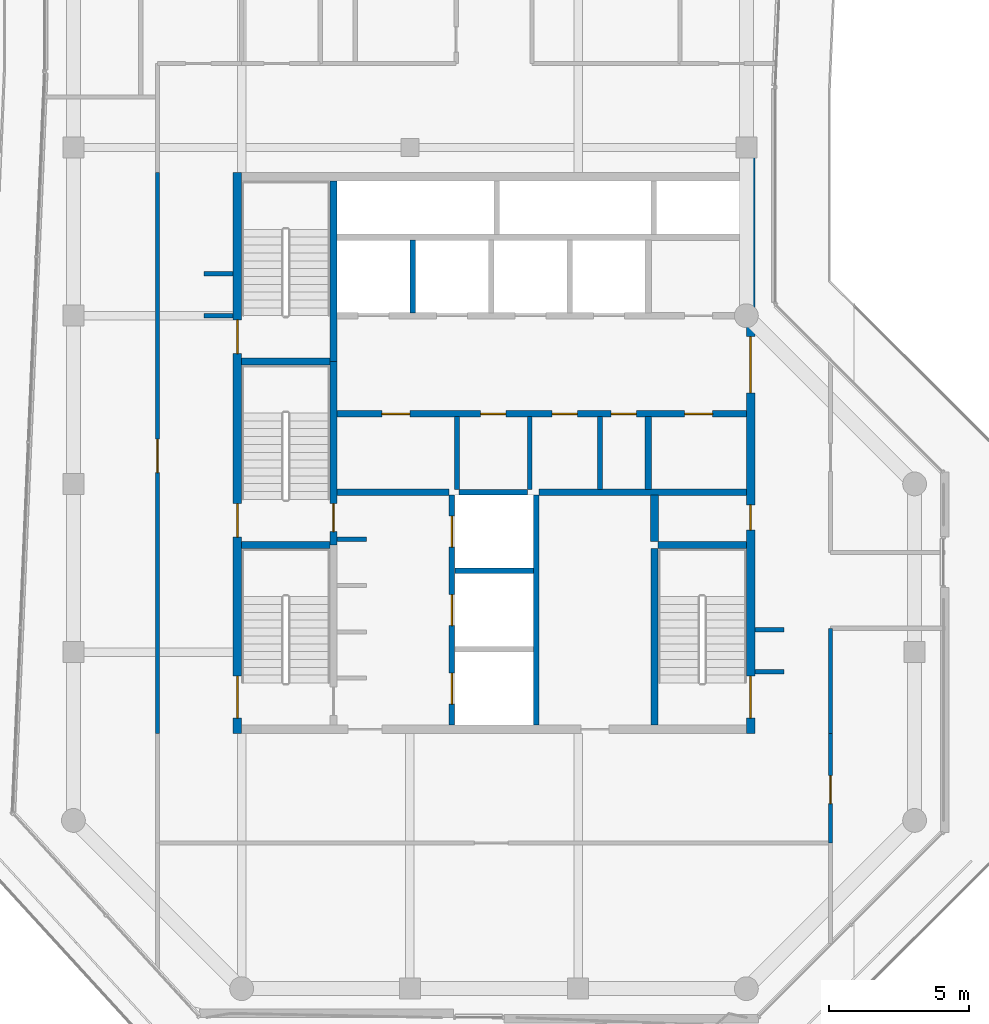
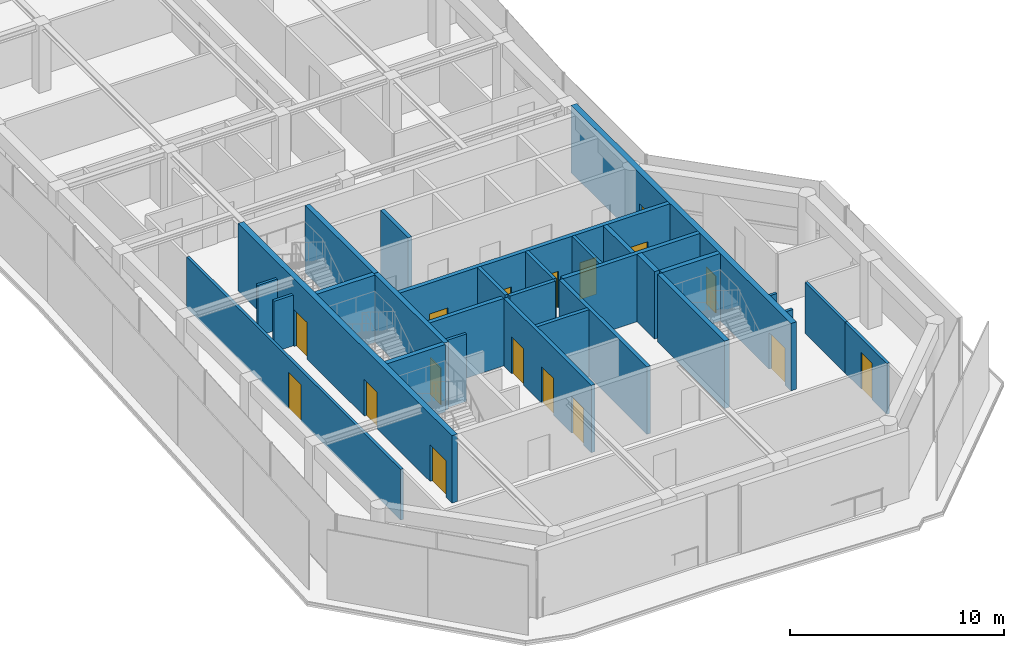
# One storey, part 15 of 19: 29 walls, 17 doors, 17 openings.
"""IFC4 building model written with IfcOpenShell, lengths in metres."""

from ifc_helpers import new_model, si_unit, direction, frame, frame_2d, origin, place, context, subcontext, project, spatial, rectangle, extrude, material, layer, layer_set, type_object, element, fill, save


model = new_model("IFC4")

# Units and contexts
model_context = context("Model", 3, precision=1e-05, world=origin(), true_north=direction((0.0, 1.0)))
body_context = subcontext(model_context, "Body", "Model", "MODEL_VIEW")
ifc_project = project(units=[si_unit("LENGTHUNIT", "METRE"), si_unit("AREAUNIT", "SQUARE_METRE"), si_unit("VOLUMEUNIT", "CUBIC_METRE"), si_unit("PLANEANGLEUNIT", "RADIAN"), si_unit("MASSUNIT", "GRAM", prefix="KILO")], contexts=[model_context])

# Site, building, storey
site_placement = place(None, origin())
site = spatial("IfcSite", under=ifc_project, at=site_placement, CompositionType="ELEMENT")
building_placement = place(site_placement, origin())
building = spatial("IfcBuilding", under=site, at=building_placement, Name="Welwitschia Terrace Campus", CompositionType="ELEMENT")
storey_placement = place(building_placement, frame((0.0, 0.0, 276.800048828125)))
storey = spatial("IfcBuildingStorey", under=building, at=storey_placement, Name="L61", CompositionType="ELEMENT", Elevation=276.800048828125)

# Walls
ifc_material_1 = material(Name="Concrete C32/40", Category="concrete")
ifc_layer_1 = layer(ifc_material_1, 0.175048828125)
ifc_layer_set_1 = layer_set([ifc_layer_1], Name="Concrete C32/40")
wall_type_1 = type_object("IfcWallType", Name="Core partition 175 Concrete C32/40", PredefinedType="PARTITIONING", material=ifc_layer_set_1)
for number, where, z_axis, x_axis, name in (
    (1, (13.675048828125, 13.800048828125, 0.0), (0.0, 0.0, 1.0), (0.0, 1.0, 0.0), "Core partition"),
    (2, (16.27490234375, 13.800048828125, 0.0), (0.0, 0.0, 1.0), (0.0, 1.0, 0.0), "Core partition"),
    (3, (18.77490234375, 13.800048828125, 0.0), (0.0, 0.0, 1.0), (0.0, 1.0, 0.0), "Core partition"),
):
    element("IfcWall", number, at=place(storey_placement, frame(where, z_axis=z_axis, x_axis=x_axis)), inside=storey, type_object=wall_type_1, Name=name, PredefinedType="PARTITIONING", context=body_context, shape_type="SweptSolid", body=[
        extrude(rectangle(XDim=2.599853515625, YDim=0.175048828125, at=frame_2d((1.2998046875, 0.0))), origin(), (0.0, 0.0, 1.0), 3.849853515625),
    ])
ifc_material_2 = material(Name="Concrete C32/40", Category="concrete")
ifc_layer_2 = layer(ifc_material_2, 0.22509765625)
ifc_layer_set_2 = layer_set([ifc_layer_2], Name="Concrete C32/40")
wall_type_2 = type_object("IfcWallType", Name="Core partition 225 Concrete C32/40", PredefinedType="PARTITIONING", material=ifc_layer_set_2)
wall_1_placement = place(storey_placement, frame((9.39990234375, 13.699951171875, 0.0), z_axis=(0.0, 0.0, 1.0), x_axis=(1.0, 0.0, 0.0)))
element("IfcWall", 4, at=wall_1_placement, inside=storey, type_object=wall_type_2, Name="Core partition", PredefinedType="PARTITIONING", context=body_context, shape_type="SweptSolid", body=[
    extrude(rectangle(XDim=4.0, YDim=0.22509765625, at=frame_2d((2.0, 0.0))), origin(), (0.0, 0.0, 1.0), 3.849853515625),
])
wall_2_placement = place(storey_placement, frame((16.60009765625, 13.699951171875, 0.0), z_axis=(0.0, 0.0, 1.0), x_axis=(1.0, 0.0, 0.0)))
element("IfcWall", 5, at=wall_2_placement, inside=storey, type_object=wall_type_2, Name="Core partition", PredefinedType="PARTITIONING", context=body_context, shape_type="SweptSolid", body=[
    extrude(rectangle(XDim=7.39990234375, YDim=0.22509765625, at=frame_2d((3.699951171875, 0.0))), origin(), (0.0, 0.0, 1.0), 3.849853515625),
])

# Wall, openings, doors
wall_3_placement = place(storey_placement, frame((9.39990234375, 16.5, 0.0), z_axis=(0.0, 0.0, 1.0), x_axis=(1.0, 0.0, 0.0)))
wall_3 = element("IfcWall", 6, at=wall_3_placement, inside=storey, type_object=wall_type_2, Name="Core partition", PredefinedType="PARTITIONING", context=body_context, shape_type="SweptSolid", body=[
    extrude(rectangle(XDim=14.60009765625, YDim=0.22509765625, at=frame_2d((7.300048828125, 0.0))), origin(), (0.0, 0.0, 1.0), 3.849853515625),
])
opening_1_placement = place(wall_3_placement, frame((1.60009765625, 0.0, 0.0)))
opening_1 = element("IfcOpeningElement", 7, at=opening_1_placement, cuts=wall_3, Name="Opening DR10", PredefinedType="OPENING", context=body_context, shape_type="SweptSolid", body=[
    extrude(rectangle(XDim=1.0, YDim=2.10009765625, at=frame_2d((0.5, 1.050048828125))), frame((0.0, 0.12255859375, 0.0), z_axis=(0.0, -1.0, 0.0), x_axis=(1.0, 0.0, 0.0)), (0.0, 0.0, 1.0), 0.2451171875),
])
opening_2_placement = place(wall_3_placement, frame((5.125, 0.0, 0.0)))
opening_2 = element("IfcOpeningElement", 8, at=opening_2_placement, cuts=wall_3, Name="Opening DR09", PredefinedType="OPENING", context=body_context, shape_type="SweptSolid", body=[
    extrude(rectangle(XDim=0.89990234375, YDim=2.10009765625, at=frame_2d((0.449951171875, 1.050048828125))), frame((0.0, 0.12255859375, 0.0), z_axis=(0.0, -1.0, 0.0), x_axis=(1.0, 0.0, 0.0)), (0.0, 0.0, 1.0), 0.2451171875),
])
opening_3_placement = place(wall_3_placement, frame((7.675048828125, 0.0, 0.0)))
opening_3 = element("IfcOpeningElement", 9, at=opening_3_placement, cuts=wall_3, Name="Opening DR09", PredefinedType="OPENING", context=body_context, shape_type="SweptSolid", body=[
    extrude(rectangle(XDim=0.89990234375, YDim=2.10009765625, at=frame_2d((0.449951171875, 1.050048828125))), frame((0.0, 0.12255859375, 0.0), z_axis=(0.0, -1.0, 0.0), x_axis=(1.0, 0.0, 0.0)), (0.0, 0.0, 1.0), 0.2451171875),
])
opening_4_placement = place(wall_3_placement, frame((9.77490234375, 0.0, 0.0)))
opening_4 = element("IfcOpeningElement", 10, at=opening_4_placement, cuts=wall_3, Name="Opening DR09", PredefinedType="OPENING", context=body_context, shape_type="SweptSolid", body=[
    extrude(rectangle(XDim=0.89990234375, YDim=2.10009765625, at=frame_2d((0.449951171875, 1.050048828125))), frame((0.0, 0.12255859375, 0.0), z_axis=(0.0, -1.0, 0.0), x_axis=(1.0, 0.0, 0.0)), (0.0, 0.0, 1.0), 0.2451171875),
])
opening_5_placement = place(wall_3_placement, frame((12.39990234375, 0.0, 0.0)))
opening_5 = element("IfcOpeningElement", 11, at=opening_5_placement, cuts=wall_3, Name="Opening DR10", PredefinedType="OPENING", context=body_context, shape_type="SweptSolid", body=[
    extrude(rectangle(XDim=1.0, YDim=2.10009765625, at=frame_2d((0.5, 1.050048828125))), frame((0.0, 0.12255859375, 0.0), z_axis=(0.0, -1.0, 0.0), x_axis=(1.0, 0.0, 0.0)), (0.0, 0.0, 1.0), 0.2451171875),
])
ifc_material_3 = material(Name="Steel S275", Category="steel")
door_type_1 = type_object("IfcDoorType", Name="Core door DR09", OperationType="SINGLE_SWING_LEFT", PredefinedType="DOOR", material=ifc_material_3)
door_1_placement = place(opening_2_placement, origin())
door_1 = element("IfcDoor", 12, at=door_1_placement, inside=storey, type_object=door_type_1, Name="Door BAYL2-D", OperationType="SINGLE_SWING_LEFT", OverallHeight=2.10009765625, OverallWidth=0.89990234375, PredefinedType="DOOR", context=body_context, shape_type="SweptSolid", body=[
    extrude(rectangle(XDim=0.89990234375, YDim=2.10009765625, at=frame_2d((0.449951171875, 1.050048828125))), frame((0.0, 0.02490234375, 0.0), z_axis=(0.0, -1.0, 0.0), x_axis=(1.0, 0.0, 0.0)), (0.0, 0.0, 1.0), 0.050048828125),
])
fill(opening_2, door_1)
door_2_placement = place(opening_3_placement, origin())
door_2 = element("IfcDoor", 13, at=door_2_placement, inside=storey, type_object=door_type_1, Name="Door BAYL3-D", OperationType="SINGLE_SWING_RIGHT", OverallHeight=2.10009765625, OverallWidth=0.89990234375, PredefinedType="DOOR", context=body_context, shape_type="SweptSolid", body=[
    extrude(rectangle(XDim=0.89990234375, YDim=2.10009765625, at=frame_2d((0.449951171875, 1.050048828125))), frame((0.0, 0.02490234375, 0.0), z_axis=(0.0, -1.0, 0.0), x_axis=(1.0, 0.0, 0.0)), (0.0, 0.0, 1.0), 0.050048828125),
])
fill(opening_3, door_2)
door_3_placement = place(opening_4_placement, origin())
door_3 = element("IfcDoor", 14, at=door_3_placement, inside=storey, type_object=door_type_1, Name="Door BAYL4-D", OperationType="SINGLE_SWING_RIGHT", OverallHeight=2.10009765625, OverallWidth=0.89990234375, PredefinedType="DOOR", context=body_context, shape_type="SweptSolid", body=[
    extrude(rectangle(XDim=0.89990234375, YDim=2.10009765625, at=frame_2d((0.449951171875, 1.050048828125))), frame((0.0, 0.02490234375, 0.0), z_axis=(0.0, -1.0, 0.0), x_axis=(1.0, 0.0, 0.0)), (0.0, 0.0, 1.0), 0.050048828125),
])
fill(opening_4, door_3)
ifc_material_4 = material(Name="Steel S275", Category="steel")
door_type_2 = type_object("IfcDoorType", Name="Core door DR10", OperationType="SINGLE_SWING_LEFT", PredefinedType="DOOR", material=ifc_material_4)
door_4_placement = place(opening_1_placement, origin())
door_4 = element("IfcDoor", 15, at=door_4_placement, inside=storey, type_object=door_type_2, Name="Door BAYL1-D", OperationType="SINGLE_SWING_LEFT", OverallHeight=2.10009765625, OverallWidth=1.0, PredefinedType="DOOR", context=body_context, shape_type="SweptSolid", body=[
    extrude(rectangle(XDim=1.0, YDim=2.10009765625, at=frame_2d((0.5, 1.050048828125))), frame((0.0, 0.02490234375, 0.0), z_axis=(0.0, -1.0, 0.0), x_axis=(1.0, 0.0, 0.0)), (0.0, 0.0, 1.0), 0.050048828125),
])
fill(opening_1, door_4)
door_5_placement = place(opening_5_placement, origin())
door_5 = element("IfcDoor", 16, at=door_5_placement, inside=storey, type_object=door_type_2, Name="Door EL-D", OperationType="SINGLE_SWING_RIGHT", OverallHeight=2.10009765625, OverallWidth=1.0, PredefinedType="DOOR", context=body_context, shape_type="SweptSolid", body=[
    extrude(rectangle(XDim=1.0, YDim=2.10009765625, at=frame_2d((0.5, 1.050048828125))), frame((0.0, 0.02490234375, 0.0), z_axis=(0.0, -1.0, 0.0), x_axis=(1.0, 0.0, 0.0)), (0.0, 0.0, 1.0), 0.050048828125),
])
fill(opening_5, door_5)

# Walls
wall_4_placement = place(storey_placement, frame((20.5, 13.800048828125, 0.0), z_axis=(0.0, 0.0, 1.0), x_axis=(0.0, 1.0, 0.0)))
element("IfcWall", 17, at=wall_4_placement, inside=storey, type_object=wall_type_2, Name="Core partition", PredefinedType="PARTITIONING", context=body_context, shape_type="SweptSolid", body=[
    extrude(rectangle(XDim=2.599853515625, YDim=0.22509765625, at=frame_2d((1.2998046875, 0.0))), origin(), (0.0, 0.0, 1.0), 3.849853515625),
])
ifc_material_5 = material(Name="Concrete C32/40", Category="concrete")
ifc_layer_3 = layer(ifc_material_5, 0.27490234375)
ifc_layer_set_3 = layer_set([ifc_layer_3], Name="Concrete C32/40")
wall_type_3 = type_object("IfcWallType", Name="Core partition 275 Concrete C32/40", PredefinedType="PARTITIONING", material=ifc_layer_set_3)
wall_5_placement = place(storey_placement, frame((20.72509765625, 11.949951171875, 0.0), z_axis=(0.0, 0.0, 1.0), x_axis=(0.0, 1.0, 0.0)))
element("IfcWall", 18, at=wall_5_placement, inside=storey, type_object=wall_type_3, Name="Core partition", PredefinedType="PARTITIONING", context=body_context, shape_type="SweptSolid", body=[
    extrude(rectangle(XDim=1.650146484375, YDim=0.27490234375, at=frame_2d((0.8251953125, 0.0))), origin(), (0.0, 0.0, 1.0), 3.849853515625),
])
ifc_material_6 = material(Name="Concrete C50/60", Category="concrete")
ifc_layer_4 = layer(ifc_material_6, 0.14990234375)
ifc_layer_set_4 = layer_set([ifc_layer_4], Name="Concrete C50/60")
wall_type_4 = type_object("IfcWallType", Name="Core wall 150 Concrete C50/60", PredefinedType="SHEAR", material=ifc_layer_set_4)
wall_6_placement = place(storey_placement, frame((9.39990234375, 12.02490234375, 0.0), z_axis=(0.0, 0.0, 1.0), x_axis=(1.0, 0.0, 0.0)))
element("IfcWall", 19, at=wall_6_placement, inside=storey, type_object=wall_type_4, Name="Core wall", PredefinedType="SHEAR", context=body_context, shape_type="SweptSolid", body=[
    extrude(rectangle(XDim=1.050048828125, YDim=0.14990234375, at=frame_2d((0.52490234375, 0.0))), origin(), (0.0, 0.0, 1.0), 3.849853515625),
])
ifc_material_7 = material(Name="Concrete C50/60", Category="concrete")
ifc_layer_5 = layer(ifc_material_7, 0.199951171875)
ifc_layer_set_5 = layer_set([ifc_layer_5], Name="Concrete C50/60")
wall_type_5 = type_object("IfcWallType", Name="Core wall 200 Concrete C50/60", PredefinedType="SHEAR", material=ifc_layer_set_5)
wall_7_placement = place(storey_placement, frame((13.60009765625, 10.89990234375, 0.0), z_axis=(0.0, 0.0, 1.0), x_axis=(1.0, 0.0, 0.0)))
element("IfcWall", 20, at=wall_7_placement, inside=storey, type_object=wall_type_5, Name="Core wall", PredefinedType="SHEAR", context=body_context, shape_type="SweptSolid", body=[
    extrude(rectangle(XDim=2.7998046875, YDim=0.199951171875, at=frame_2d((1.39990234375, 0.0))), origin(), (0.0, 0.0, 1.0), 3.849853515625),
])
wall_8_placement = place(storey_placement, frame((13.75, 13.699951171875, 0.0), z_axis=(0.0, 0.0, 1.0), x_axis=(1.0, 0.0, 0.0)))
element("IfcWall", 21, at=wall_8_placement, inside=storey, type_object=wall_type_5, Name="Core wall", PredefinedType="SHEAR", context=body_context, shape_type="SweptSolid", body=[
    extrude(rectangle(XDim=2.449951171875, YDim=0.199951171875, at=frame_2d((1.22509765625, 0.0))), origin(), (0.0, 0.0, 1.0), 3.849853515625),
])

# Wall, openings, doors
wall_9_placement = place(storey_placement, frame((13.5, 5.39990234375, 0.0), z_axis=(0.0, 0.0, 1.0), x_axis=(0.0, 1.0, 0.0)))
wall_9 = element("IfcWall", 22, at=wall_9_placement, inside=storey, type_object=wall_type_5, Name="Core wall", PredefinedType="SHEAR", context=body_context, shape_type="SweptSolid", body=[
    extrude(rectangle(XDim=8.2001953125, YDim=0.199951171875, at=frame_2d((4.10009765625, 0.0))), origin(), (0.0, 0.0, 1.0), 3.849853515625),
])
opening_6_placement = place(wall_9_placement, frame((0.75, 0.0, 0.0)))
opening_6 = element("IfcOpeningElement", 23, at=opening_6_placement, cuts=wall_9, Name="Opening LD", PredefinedType="OPENING", context=body_context, shape_type="SweptSolid", body=[
    extrude(rectangle(XDim=1.10009765625, YDim=2.10009765625, at=frame_2d((0.550048828125, 1.050048828125))), frame((0.0, 0.10986328125, 0.0), z_axis=(0.0, -1.0, 0.0), x_axis=(1.0, 0.0, 0.0)), (0.0, 0.0, 1.0), 0.219970703125),
])
opening_7_placement = place(wall_9_placement, frame((3.550048828125, 0.0, 0.0)))
opening_7 = element("IfcOpeningElement", 24, at=opening_7_placement, cuts=wall_9, Name="Opening LD", PredefinedType="OPENING", context=body_context, shape_type="SweptSolid", body=[
    extrude(rectangle(XDim=1.10009765625, YDim=2.10009765625, at=frame_2d((0.550048828125, 1.050048828125))), frame((0.0, 0.10986328125, 0.0), z_axis=(0.0, -1.0, 0.0), x_axis=(1.0, 0.0, 0.0)), (0.0, 0.0, 1.0), 0.219970703125),
])
opening_8_placement = place(wall_9_placement, frame((6.35009765625, 0.0, 0.0)))
opening_8 = element("IfcOpeningElement", 25, at=opening_8_placement, cuts=wall_9, Name="Opening LD", PredefinedType="OPENING", context=body_context, shape_type="SweptSolid", body=[
    extrude(rectangle(XDim=1.10009765625, YDim=2.10009765625, at=frame_2d((0.550048828125, 1.050048828125))), frame((0.0, 0.10986328125, 0.0), z_axis=(0.0, -1.0, 0.0), x_axis=(1.0, 0.0, 0.0)), (0.0, 0.0, 1.0), 0.219970703125),
])
ifc_material_8 = material(Name="Stainless steel 304", Category="steel")
door_type_3 = type_object("IfcDoorType", Name="Lift landing door", OperationType="DOUBLE_DOOR_SLIDING", PredefinedType="DOOR", material=ifc_material_8)
door_6_placement = place(opening_6_placement, origin())
door_6 = element("IfcDoor", 26, at=door_6_placement, inside=storey, type_object=door_type_3, Name="Landing door FF1", OperationType="DOUBLE_DOOR_SLIDING", OverallHeight=2.10009765625, OverallWidth=1.10009765625, PredefinedType="DOOR", context=body_context, shape_type="SweptSolid", body=[
    extrude(rectangle(XDim=1.10009765625, YDim=2.10009765625, at=frame_2d((0.550048828125, 1.050048828125))), frame((0.0, 0.02490234375, 0.0), z_axis=(0.0, -1.0, 0.0), x_axis=(1.0, 0.0, 0.0)), (0.0, 0.0, 1.0), 0.050048828125),
])
fill(opening_6, door_6)
door_7_placement = place(opening_7_placement, origin())
door_7 = element("IfcDoor", 27, at=door_7_placement, inside=storey, type_object=door_type_3, Name="Landing door FF2", OperationType="DOUBLE_DOOR_SLIDING", OverallHeight=2.10009765625, OverallWidth=1.10009765625, PredefinedType="DOOR", context=body_context, shape_type="SweptSolid", body=[
    extrude(rectangle(XDim=1.10009765625, YDim=2.10009765625, at=frame_2d((0.550048828125, 1.050048828125))), frame((0.0, 0.02490234375, 0.0), z_axis=(0.0, -1.0, 0.0), x_axis=(1.0, 0.0, 0.0)), (0.0, 0.0, 1.0), 0.050048828125),
])
fill(opening_7, door_7)
door_8_placement = place(opening_8_placement, origin())
door_8 = element("IfcDoor", 28, at=door_8_placement, inside=storey, type_object=door_type_3, Name="Landing door SV1", OperationType="DOUBLE_DOOR_SLIDING", OverallHeight=2.10009765625, OverallWidth=1.10009765625, PredefinedType="DOOR", context=body_context, shape_type="SweptSolid", body=[
    extrude(rectangle(XDim=1.10009765625, YDim=2.10009765625, at=frame_2d((0.550048828125, 1.050048828125))), frame((0.0, 0.02490234375, 0.0), z_axis=(0.0, -1.0, 0.0), x_axis=(1.0, 0.0, 0.0)), (0.0, 0.0, 1.0), 0.050048828125),
])
fill(opening_8, door_8)

# Walls
wall_10_placement = place(storey_placement, frame((16.5, 5.39990234375, 0.0), z_axis=(0.0, 0.0, 1.0), x_axis=(0.0, 1.0, 0.0)))
element("IfcWall", 29, at=wall_10_placement, inside=storey, type_object=wall_type_5, Name="Core wall", PredefinedType="SHEAR", context=body_context, shape_type="SweptSolid", body=[
    extrude(rectangle(XDim=8.2001953125, YDim=0.199951171875, at=frame_2d((4.10009765625, 0.0))), origin(), (0.0, 0.0, 1.0), 3.849853515625),
])
ifc_material_9 = material(Name="Concrete C50/60", Category="concrete")
ifc_layer_6 = layer(ifc_material_9, 0.25)
ifc_layer_set_6 = layer_set([ifc_layer_6], Name="Concrete C50/60")
wall_type_6 = type_object("IfcWallType", Name="Core wall 250 Concrete C50/60", PredefinedType="SHEAR", material=ifc_layer_set_6)
for number, where, z_axis, x_axis, name in (
    (30, (6.0, 11.824951171875, 0.0), (0.0, 0.0, 1.0), (1.0, 0.0, 0.0), "Core wall"),
    (31, (20.85009765625, 11.824951171875, 0.0), (0.0, 0.0, 1.0), (1.0, 0.0, 0.0), "Core wall"),
    (32, (6.0, 18.375, 0.0), (0.0, 0.0, 1.0), (1.0, 0.0, 0.0), "Core wall"),
):
    element("IfcWall", number, at=place(storey_placement, frame(where, z_axis=z_axis, x_axis=x_axis)), inside=storey, type_object=wall_type_6, Name=name, PredefinedType="SHEAR", context=body_context, shape_type="SweptSolid", body=[
        extrude(rectangle(XDim=3.14990234375, YDim=0.25, at=frame_2d((1.574951171875, 0.0))), origin(), (0.0, 0.0, 1.0), 3.849853515625),
    ])

# Wall, opening, door
wall_11_placement = place(storey_placement, frame((9.27490234375, 18.375, 0.0), z_axis=(0.0, 0.0, 1.0), x_axis=(0.0, -1.0, 0.0)))
wall_11 = element("IfcWall", 33, at=wall_11_placement, inside=storey, type_object=wall_type_6, Name="Core wall", PredefinedType="SHEAR", context=body_context, shape_type="SweptSolid", body=[
    extrude(rectangle(XDim=6.550048828125, YDim=0.25, at=frame_2d((3.27490234375, 0.0))), origin(), (0.0, 0.0, 1.0), 3.849853515625),
])
opening_9_placement = place(wall_11_placement, frame((5.074951171875, 0.0, 0.0)))
opening_9 = element("IfcOpeningElement", 34, at=opening_9_placement, cuts=wall_11, Name="Opening DS10", PredefinedType="OPENING", context=body_context, shape_type="SweptSolid", body=[
    extrude(rectangle(XDim=1.0, YDim=2.10009765625, at=frame_2d((0.5, 1.050048828125))), frame((0.0, 0.135009765625, 0.0), z_axis=(0.0, -1.0, 0.0), x_axis=(1.0, 0.0, 0.0)), (0.0, 0.0, 1.0), 0.27001953125),
])
ifc_material_10 = material(Name="Steel S275", Category="steel")
door_type_4 = type_object("IfcDoorType", Name="Core door DS10", OperationType="SINGLE_SWING_LEFT", PredefinedType="DOOR", material=ifc_material_10)
door_9_placement = place(opening_9_placement, origin())
door_9 = element("IfcDoor", 35, at=door_9_placement, inside=storey, type_object=door_type_4, Name="Door S3-FL", OperationType="SINGLE_SWING_RIGHT", OverallHeight=2.10009765625, OverallWidth=1.0, PredefinedType="DOOR", context=body_context, shape_type="SweptSolid", body=[
    extrude(rectangle(XDim=1.0, YDim=2.10009765625, at=frame_2d((0.5, 1.050048828125))), frame((0.0, 0.02490234375, 0.0), z_axis=(0.0, -1.0, 0.0), x_axis=(1.0, 0.0, 0.0)), (0.0, 0.0, 1.0), 0.050048828125),
])
fill(opening_9, door_9)

# Walls
wall_12_placement = place(storey_placement, frame((9.27490234375, 18.375, 0.0), z_axis=(0.0, 0.0, 1.0), x_axis=(0.0, 1.0, 0.0)))
element("IfcWall", 36, at=wall_12_placement, inside=storey, type_object=wall_type_6, Name="Core wall", PredefinedType="SHEAR", context=body_context, shape_type="SweptSolid", body=[
    extrude(rectangle(XDim=6.425048828125, YDim=0.25, at=frame_2d((3.21240234375, 0.0))), origin(), (0.0, 0.0, 1.0), 3.849853515625),
])
wall_13_placement = place(storey_placement, frame((20.72509765625, 5.39990234375, 0.0), z_axis=(0.0, 0.0, 1.0), x_axis=(0.0, 1.0, 0.0)))
element("IfcWall", 37, at=wall_13_placement, inside=storey, type_object=wall_type_6, Name="Core wall", PredefinedType="SHEAR", context=body_context, shape_type="SweptSolid", body=[
    extrude(rectangle(XDim=6.300048828125, YDim=0.25, at=frame_2d((3.14990234375, 0.0))), origin(), (0.0, 0.0, 1.0), 3.849853515625),
])

# Wall, openings, doors
ifc_material_11 = material(Name="Concrete C50/60", Category="concrete")
ifc_layer_7 = layer(ifc_material_11, 0.300048828125)
ifc_layer_set_7 = layer_set([ifc_layer_7], Name="Concrete C50/60")
wall_type_7 = type_object("IfcWallType", Name="Core wall 300 Concrete C50/60", PredefinedType="SHEAR", material=ifc_layer_set_7)
wall_14_placement = place(storey_placement, frame((5.85009765625, 5.10009765625, 0.0), z_axis=(0.0, 0.0, 1.0), x_axis=(0.0, 1.0, 0.0)))
wall_14 = element("IfcWall", 38, at=wall_14_placement, inside=storey, type_object=wall_type_7, Name="Core outer wall", PredefinedType="SHEAR", context=body_context, shape_type="SweptSolid", body=[
    extrude(rectangle(XDim=20.0, YDim=0.300048828125, at=frame_2d((10.0, 0.0))), origin(), (0.0, 0.0, 1.0), 3.849853515625),
])
opening_10_placement = place(wall_14_placement, frame((0.550048828125, 0.0, 0.0)))
opening_10 = element("IfcOpeningElement", 39, at=opening_10_placement, cuts=wall_14, Name="Opening DS15", PredefinedType="OPENING", context=body_context, shape_type="SweptSolid", body=[
    extrude(rectangle(XDim=1.5, YDim=2.10009765625, at=frame_2d((0.75, 1.050048828125))), frame((0.0, 0.159912109375, 0.0), z_axis=(0.0, -1.0, 0.0), x_axis=(1.0, 0.0, 0.0)), (0.0, 0.0, 1.0), 0.320068359375),
])
opening_11_placement = place(wall_14_placement, frame((7.0, 0.0, 0.0)))
opening_11 = element("IfcOpeningElement", 40, at=opening_11_placement, cuts=wall_14, Name="Opening DS12", PredefinedType="OPENING", context=body_context, shape_type="SweptSolid", body=[
    extrude(rectangle(XDim=1.199951171875, YDim=2.10009765625, at=frame_2d((0.60009765625, 1.050048828125))), frame((0.0, 0.159912109375, 0.0), z_axis=(0.0, -1.0, 0.0), x_axis=(1.0, 0.0, 0.0)), (0.0, 0.0, 1.0), 0.320068359375),
])
opening_12_placement = place(wall_14_placement, frame((13.550048828125, 0.0, 0.0)))
opening_12 = element("IfcOpeningElement", 41, at=opening_12_placement, cuts=wall_14, Name="Opening DS12", PredefinedType="OPENING", context=body_context, shape_type="SweptSolid", body=[
    extrude(rectangle(XDim=1.199951171875, YDim=2.10009765625, at=frame_2d((0.60009765625, 1.050048828125))), frame((0.0, 0.159912109375, 0.0), z_axis=(0.0, -1.0, 0.0), x_axis=(1.0, 0.0, 0.0)), (0.0, 0.0, 1.0), 0.320068359375),
])
ifc_material_12 = material(Name="Steel S275", Category="steel")
door_type_5 = type_object("IfcDoorType", Name="Core door DS12", OperationType="SINGLE_SWING_LEFT", PredefinedType="DOOR", material=ifc_material_12)
door_10_placement = place(opening_11_placement, origin())
door_10 = element("IfcDoor", 42, at=door_10_placement, inside=storey, type_object=door_type_5, Name="Door S3-out", OperationType="SINGLE_SWING_LEFT", OverallHeight=2.10009765625, OverallWidth=1.199951171875, PredefinedType="DOOR", context=body_context, shape_type="SweptSolid", body=[
    extrude(rectangle(XDim=1.199951171875, YDim=2.10009765625, at=frame_2d((0.60009765625, 1.050048828125))), frame((0.0, 0.02490234375, 0.0), z_axis=(0.0, -1.0, 0.0), x_axis=(1.0, 0.0, 0.0)), (0.0, 0.0, 1.0), 0.050048828125),
])
fill(opening_11, door_10)
door_11_placement = place(opening_12_placement, origin())
door_11 = element("IfcDoor", 43, at=door_11_placement, inside=storey, type_object=door_type_5, Name="Door S4-out", OperationType="SINGLE_SWING_RIGHT", OverallHeight=2.10009765625, OverallWidth=1.199951171875, PredefinedType="DOOR", context=body_context, shape_type="SweptSolid", body=[
    extrude(rectangle(XDim=1.199951171875, YDim=2.10009765625, at=frame_2d((0.60009765625, 1.050048828125))), frame((0.0, 0.02490234375, 0.0), z_axis=(0.0, -1.0, 0.0), x_axis=(1.0, 0.0, 0.0)), (0.0, 0.0, 1.0), 0.050048828125),
])
fill(opening_12, door_11)
ifc_material_13 = material(Name="Steel S275", Category="steel")
door_type_6 = type_object("IfcDoorType", Name="Core door DS15", OperationType="DOUBLE_DOOR_SINGLE_SWING", PredefinedType="DOOR", material=ifc_material_13)
door_12_placement = place(opening_10_placement, origin())
door_12 = element("IfcDoor", 44, at=door_12_placement, inside=storey, type_object=door_type_6, Name="Door S1-out", OperationType="DOUBLE_DOOR_SINGLE_SWING", OverallHeight=2.10009765625, OverallWidth=1.5, PredefinedType="DOOR", context=body_context, shape_type="SweptSolid", body=[
    extrude(rectangle(XDim=1.5, YDim=2.10009765625, at=frame_2d((0.75, 1.050048828125))), frame((0.0, 0.02490234375, 0.0), z_axis=(0.0, -1.0, 0.0), x_axis=(1.0, 0.0, 0.0)), (0.0, 0.0, 1.0), 0.050048828125),
])
fill(opening_10, door_12)

wall_15_placement = place(storey_placement, frame((24.14990234375, 25.655029296875, 0.0), z_axis=(0.0, 0.0, 1.0), x_axis=(0.0, -1.0, 0.0)))
wall_15 = element("IfcWall", 45, at=wall_15_placement, inside=storey, type_object=wall_type_7, Name="Core outer wall", PredefinedType="SHEAR", context=body_context, shape_type="SweptSolid", body=[
    extrude(rectangle(XDim=20.554931640625, YDim=0.300048828125, at=frame_2d((10.27734375, 0.0))), origin(), (0.0, 0.0, 1.0), 3.849853515625),
])
opening_13_placement = place(wall_15_placement, frame((18.5048828125, 0.0, 0.0)))
opening_13 = element("IfcOpeningElement", 46, at=opening_13_placement, cuts=wall_15, Name="Opening DS15", PredefinedType="OPENING", context=body_context, shape_type="SweptSolid", body=[
    extrude(rectangle(XDim=1.5, YDim=2.10009765625, at=frame_2d((0.75, 1.050048828125))), frame((0.0, 0.159912109375, 0.0), z_axis=(0.0, -1.0, 0.0), x_axis=(1.0, 0.0, 0.0)), (0.0, 0.0, 1.0), 0.320068359375),
])
opening_14_placement = place(wall_15_placement, frame((12.405029296875, 0.0, 0.0)))
opening_14 = element("IfcOpeningElement", 47, at=opening_14_placement, cuts=wall_15, Name="Opening DR09", PredefinedType="OPENING", context=body_context, shape_type="SweptSolid", body=[
    extrude(rectangle(XDim=0.89990234375, YDim=2.10009765625, at=frame_2d((0.449951171875, 1.050048828125))), frame((0.0, 0.159912109375, 0.0), z_axis=(0.0, -1.0, 0.0), x_axis=(1.0, 0.0, 0.0)), (0.0, 0.0, 1.0), 0.320068359375),
])
opening_15_placement = place(wall_15_placement, frame((6.405029296875, 0.0, 0.0)))
opening_15 = element("IfcOpeningElement", 48, at=opening_15_placement, cuts=wall_15, Name="Opening DL20", PredefinedType="OPENING", context=body_context, shape_type="SweptSolid", body=[
    extrude(rectangle(XDim=2.0, YDim=2.10009765625, at=frame_2d((1.0, 1.050048828125))), frame((0.0, 0.159912109375, 0.0), z_axis=(0.0, -1.0, 0.0), x_axis=(1.0, 0.0, 0.0)), (0.0, 0.0, 1.0), 0.320068359375),
])
ifc_material_14 = material(Name="Steel S275", Category="steel")
door_type_7 = type_object("IfcDoorType", Name="Core door DL20", OperationType="DOUBLE_DOOR_SINGLE_SWING", PredefinedType="DOOR", material=ifc_material_14)
door_13_placement = place(opening_15_placement, origin())
door_13 = element("IfcDoor", 49, at=door_13_placement, inside=storey, type_object=door_type_7, Name="Door LOBBY-out", OperationType="DOUBLE_DOOR_SINGLE_SWING", OverallHeight=2.10009765625, OverallWidth=2.0, PredefinedType="DOOR", context=body_context, shape_type="SweptSolid", body=[
    extrude(rectangle(XDim=2.0, YDim=2.10009765625, at=frame_2d((1.0, 1.050048828125))), frame((0.0, 0.02490234375, 0.0), z_axis=(0.0, -1.0, 0.0), x_axis=(1.0, 0.0, 0.0)), (0.0, 0.0, 1.0), 0.050048828125),
])
fill(opening_15, door_13)
door_14_placement = place(opening_14_placement, origin())
door_14 = element("IfcDoor", 50, at=door_14_placement, inside=storey, type_object=door_type_1, Name="Door F1B-out", OperationType="SINGLE_SWING_RIGHT", OverallHeight=2.10009765625, OverallWidth=0.89990234375, PredefinedType="DOOR", context=body_context, shape_type="SweptSolid", body=[
    extrude(rectangle(XDim=0.89990234375, YDim=2.10009765625, at=frame_2d((0.449951171875, 1.050048828125))), frame((0.0, 0.02490234375, 0.0), z_axis=(0.0, -1.0, 0.0), x_axis=(1.0, 0.0, 0.0)), (0.0, 0.0, 1.0), 0.050048828125),
])
fill(opening_14, door_14)
door_15_placement = place(opening_13_placement, origin())
door_15 = element("IfcDoor", 51, at=door_15_placement, inside=storey, type_object=door_type_6, Name="Door S2-out", OperationType="DOUBLE_DOOR_SINGLE_SWING", OverallHeight=2.10009765625, OverallWidth=1.5, PredefinedType="DOOR", context=body_context, shape_type="SweptSolid", body=[
    extrude(rectangle(XDim=1.5, YDim=2.10009765625, at=frame_2d((0.75, 1.050048828125))), frame((0.0, 0.02490234375, 0.0), z_axis=(0.0, -1.0, 0.0), x_axis=(1.0, 0.0, 0.0)), (0.0, 0.0, 1.0), 0.050048828125),
])
fill(opening_13, door_15)

# Wall, opening, door
ifc_material_15 = material(Name="Gypsum board on steel studs", Category="steel")
ifc_layer_8 = layer(ifc_material_15, 0.14990234375)
ifc_layer_set_8 = layer_set([ifc_layer_8], Name="Gypsum board on steel studs")
wall_type_8 = type_object("IfcWallType", Name="Corridor partition 150 EI 30", PredefinedType="PARTITIONING", material=ifc_layer_set_8)
wall_16_placement = place(storey_placement, frame((3.0, 5.10009765625, 0.0), z_axis=(0.0, 0.0, 1.0), x_axis=(0.0, 1.0, 0.0)))
wall_16 = element("IfcWall", 52, at=wall_16_placement, inside=storey, type_object=wall_type_8, Name="Partition", PredefinedType="PARTITIONING", context=body_context, shape_type="SweptSolid", body=[
    extrude(rectangle(XDim=20.0, YDim=0.14990234375, at=frame_2d((10.0, 0.0))), origin(), (0.0, 0.0, 1.0), 2.89990234375),
])
opening_16_placement = place(wall_16_placement, frame((9.300048828125, 0.0, 0.0)))
opening_16 = element("IfcOpeningElement", 53, at=opening_16_placement, cuts=wall_16, Name="Opening DI12", PredefinedType="OPENING", context=body_context, shape_type="SweptSolid", body=[
    extrude(rectangle(XDim=1.199951171875, YDim=2.10009765625, at=frame_2d((0.60009765625, 1.050048828125))), frame((0.0, 0.0849609375, 0.0), z_axis=(0.0, -1.0, 0.0), x_axis=(1.0, 0.0, 0.0)), (0.0, 0.0, 1.0), 0.169921875),
])
ifc_material_16 = material(Name="Timber veneered door", Category="wood")
door_type_8 = type_object("IfcDoorType", Name="Interior door DI12", OperationType="NOTDEFINED", PredefinedType="DOOR", material=ifc_material_16)
door_16_placement = place(opening_16_placement, origin())
door_16 = element("IfcDoor", 54, at=door_16_placement, inside=storey, type_object=door_type_8, Name="Door L61 1088", OperationType="SINGLE_SWING_LEFT", OverallHeight=2.10009765625, OverallWidth=1.199951171875, PredefinedType="DOOR", context=body_context, shape_type="SweptSolid", body=[
    extrude(rectangle(XDim=1.199951171875, YDim=2.10009765625, at=frame_2d((0.60009765625, 1.050048828125))), frame((0.0, 0.02490234375, 0.0), z_axis=(0.0, -1.0, 0.0), x_axis=(1.0, 0.0, 0.0)), (0.0, 0.0, 1.0), 0.050048828125),
])
fill(opening_16, door_16)

# Walls
for number, where, z_axis, x_axis, name in (
    (55, (4.64990234375, 20.0, 0.0), (0.0, 0.0, 1.0), (1.0, 0.0, 0.0), "Partition"),
    (56, (4.64990234375, 21.5, 0.0), (0.0, 0.0, 1.0), (1.0, 0.0, 0.0), "Partition"),
    (57, (24.300048828125, 7.300048828125, 0.0), (0.0, 0.0, 1.0), (1.0, 0.0, 0.0), "Partition"),
    (58, (24.300048828125, 8.800048828125, 0.0), (0.0, 0.0, 1.0), (1.0, 0.0, 0.0), "Partition"),
):
    element("IfcWall", number, at=place(storey_placement, frame(where, z_axis=z_axis, x_axis=x_axis)), inside=storey, type_object=wall_type_8, Name=name, PredefinedType="PARTITIONING", context=body_context, shape_type="SweptSolid", body=[
        extrude(rectangle(XDim=1.050048828125, YDim=0.14990234375, at=frame_2d((0.52490234375, 0.0))), origin(), (0.0, 0.0, 1.0), 2.89990234375),
    ])

# Wall, opening, door
wall_17_placement = place(storey_placement, frame((27.0, 5.10009765625, 0.0), z_axis=(0.0, 0.0, 1.0), x_axis=(0.0, -1.0, 0.0)))
wall_17 = element("IfcWall", 59, at=wall_17_placement, inside=storey, type_object=wall_type_8, Name="Partition", PredefinedType="PARTITIONING", context=body_context, shape_type="SweptSolid", body=[
    extrude(rectangle(XDim=3.900146484375, YDim=0.14990234375, at=frame_2d((1.9501953125, 0.0))), origin(), (0.0, 0.0, 1.0), 2.89990234375),
])
opening_17_placement = place(wall_17_placement, frame((1.5, 0.0, 0.0)))
opening_17 = element("IfcOpeningElement", 60, at=opening_17_placement, cuts=wall_17, Name="Opening DI10", PredefinedType="OPENING", context=body_context, shape_type="SweptSolid", body=[
    extrude(rectangle(XDim=1.0, YDim=2.10009765625, at=frame_2d((0.5, 1.050048828125))), frame((0.0, 0.0849609375, 0.0), z_axis=(0.0, -1.0, 0.0), x_axis=(1.0, 0.0, 0.0)), (0.0, 0.0, 1.0), 0.169921875),
])
ifc_material_17 = material(Name="Timber veneered door", Category="wood")
door_type_9 = type_object("IfcDoorType", Name="Interior door DI10", OperationType="NOTDEFINED", PredefinedType="DOOR", material=ifc_material_17)
door_17_placement = place(opening_17_placement, origin())
door_17 = element("IfcDoor", 61, at=door_17_placement, inside=storey, type_object=door_type_9, Name="Door L61 1102", OperationType="SINGLE_SWING_LEFT", OverallHeight=2.10009765625, OverallWidth=1.0, PredefinedType="DOOR", context=body_context, shape_type="SweptSolid", body=[
    extrude(rectangle(XDim=1.0, YDim=2.10009765625, at=frame_2d((0.5, 1.050048828125))), frame((0.0, 0.02490234375, 0.0), z_axis=(0.0, -1.0, 0.0), x_axis=(1.0, 0.0, 0.0)), (0.0, 0.0, 1.0), 0.050048828125),
])
fill(opening_17, door_17)

# Walls
wall_18_placement = place(storey_placement, frame((27.0, 5.10009765625, 0.0), z_axis=(0.0, 0.0, 1.0), x_axis=(0.0, 1.0, 0.0)))
element("IfcWall", 62, at=wall_18_placement, inside=storey, type_object=wall_type_8, Name="Partition", PredefinedType="PARTITIONING", context=body_context, shape_type="SweptSolid", body=[
    extrude(rectangle(XDim=3.75, YDim=0.14990234375, at=frame_2d((1.875, 0.0))), origin(), (0.0, 0.0, 1.0), 2.89990234375),
])
ifc_material_18 = material(Name="Concrete C32/40", Category="concrete")
ifc_layer_9 = layer(ifc_material_18, 0.199951171875)
ifc_layer_set_9 = layer_set([ifc_layer_9], Name="Concrete C32/40")
wall_type_9 = type_object("IfcWallType", Name="Shaft wall 200 Concrete C32/40", PredefinedType="SOLIDWALL", material=ifc_layer_set_9)
wall_19_placement = place(storey_placement, frame((12.10009765625, 20.10009765625, 0.0), z_axis=(0.0, 0.0, 1.0), x_axis=(0.0, 1.0, 0.0)))
element("IfcWall", 63, at=wall_19_placement, inside=storey, type_object=wall_type_9, Name="Shaft wall", PredefinedType="SOLIDWALL", context=body_context, shape_type="SweptSolid", body=[
    extrude(rectangle(XDim=2.599853515625, YDim=0.199951171875, at=frame_2d((1.2998046875, 0.0))), origin(), (0.0, 0.0, 1.0), 3.849853515625),
])

save(model, "model.ifc")
